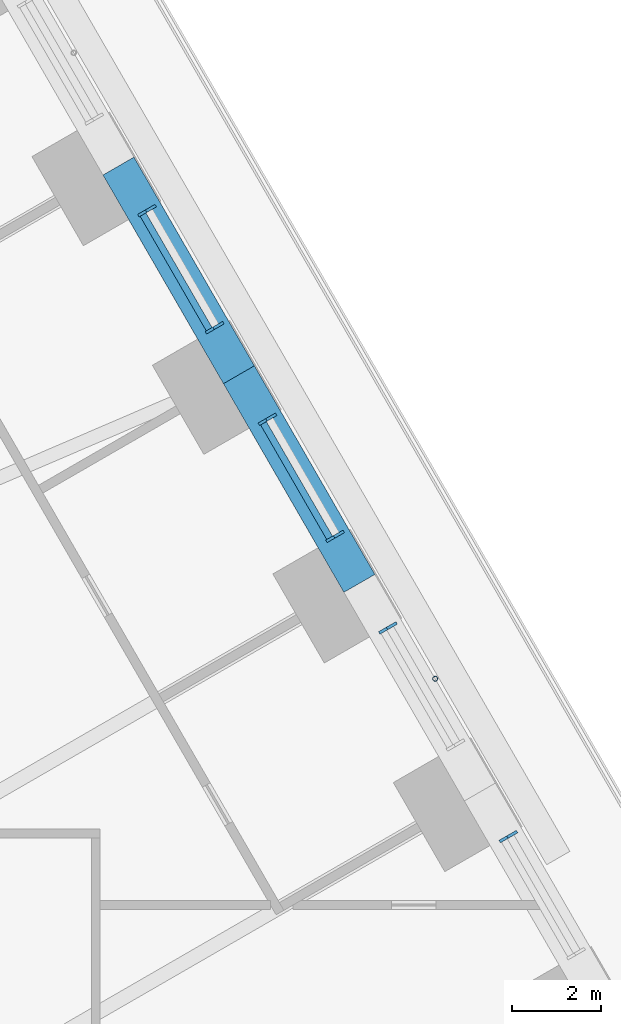
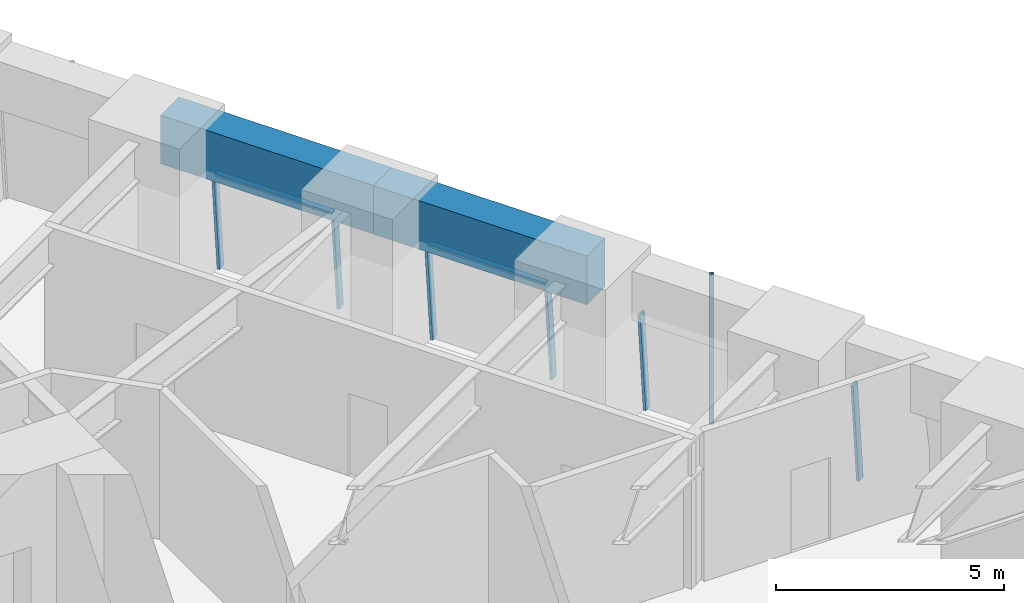
# One storey, part 13 of 23: 9 members, 2 beams, 4 elements without a shape of their own.
"""IFC4 building model written with IfcOpenShell, lengths in metres."""

from ifc_helpers import new_model, si_unit, direction, frame, origin, origin_2d, place, context, subcontext, project, spatial, rectangle, hollow_circle, extrude, material, material_profile, profile_set, type_object, element, aggregate, save


model = new_model("IFC4")

# Units and contexts
model_context = context("Model", 3, precision=1e-05, world=origin(), true_north=direction((0.0, 1.0)))
body_context = subcontext(model_context, "Body", "Model", "MODEL_VIEW")
ifc_project = project(units=[si_unit("LENGTHUNIT", "METRE"), si_unit("AREAUNIT", "SQUARE_METRE"), si_unit("VOLUMEUNIT", "CUBIC_METRE"), si_unit("PLANEANGLEUNIT", "RADIAN"), si_unit("MASSUNIT", "GRAM", prefix="KILO")], contexts=[model_context])

# Site, building, storey
site_placement = place(None, origin())
site = spatial("IfcSite", under=ifc_project, at=site_placement, CompositionType="ELEMENT")
building_placement = place(site_placement, origin())
building = spatial("IfcBuilding", under=site, at=building_placement, Name="Tarfa Lantern Tower", CompositionType="ELEMENT")
storey_placement = place(building_placement, frame((0.0, 0.0, 40.300048828125)))
storey = spatial("IfcBuildingStorey", under=building, at=storey_placement, Name="L08", CompositionType="ELEMENT", Elevation=40.300048828125)

# Curtain wall, member
ifc_material_1 = material(Name="Aluminium framed curtain wall", Category="aluminium")
curtain_wall_type = type_object("IfcCurtainWallType", Name="CW1 CANTED GLAZING LOW ZONE 2700", PredefinedType="USERDEFINED", material=ifc_material_1)
curtain_wall_1_placement = place(storey_placement, origin())
curtain_wall_1 = element("IfcCurtainWall", 1, at=curtain_wall_1_placement, inside=storey, type_object=curtain_wall_type, Name="CW1 NE L08", ObjectType="CURTAIN WALL", PredefinedType="USERDEFINED")
ifc_material_2 = material(Name="Aluminium mullion", Category="aluminium")
ifc_material_profile_1 = material_profile(ifc_material_2, rectangle(XDim=0.06494140625, YDim=0.199951171875, at=origin_2d()), Name="AL MULLION 65x200")
ifc_profile_set_1 = profile_set([ifc_material_profile_1], Name="Aluminium mullion")
member_type_1 = type_object("IfcMemberType", Name="CWM1 MULLION 65x200", PredefinedType="MULLION", material=ifc_profile_set_1)
member_1_placement = place(storey_placement, frame((35.338134765625, 6.592529296875, 0.0), z_axis=(-0.07986442134, -0.046099868913, 0.99573916077), x_axis=(0.499919672301, -0.866071776036, 0.0)))
member_1 = element("IfcMember", 2, at=member_1_placement, type_object=member_type_1, Name="CW1 mullion 2", PredefinedType="MULLION", context=body_context, shape_type="SweptSolid", body=[
    extrude(rectangle(XDim=0.06494140625, YDim=0.199951171875, at=origin_2d()), origin(), (0.0, 0.0, 1.0), 2.71142578125),
])
aggregate(curtain_wall_1, [member_1])

curtain_wall_2_placement = place(storey_placement, origin())
curtain_wall_2 = element("IfcCurtainWall", 3, at=curtain_wall_2_placement, inside=storey, type_object=curtain_wall_type, Name="CW1 NE L08", ObjectType="CURTAIN WALL", PredefinedType="USERDEFINED")
member_2_placement = place(storey_placement, frame((32.643798828125, 11.25927734375, 0.0), z_axis=(-0.07986442134, -0.046099868913, 0.99573916077), x_axis=(0.499919672301, -0.866071776036, 0.0)))
member_2 = element("IfcMember", 4, at=member_2_placement, type_object=member_type_1, Name="CW1 mullion 2", PredefinedType="MULLION", context=body_context, shape_type="SweptSolid", body=[
    extrude(rectangle(XDim=0.06494140625, YDim=0.199951171875, at=origin_2d()), origin(), (0.0, 0.0, 1.0), 2.71142578125),
])
aggregate(curtain_wall_2, [member_2])

# Curtain wall, members
curtain_wall_3_placement = place(storey_placement, origin())
curtain_wall_3 = element("IfcCurtainWall", 5, at=curtain_wall_3_placement, inside=storey, type_object=curtain_wall_type, Name="CW1 NE L08", ObjectType="CURTAIN WALL", PredefinedType="USERDEFINED")
member_3_placement = place(storey_placement, frame((31.46142578125, 13.307373046875, 0.0), z_axis=(-0.07986442134, -0.046099868913, 0.99573916077), x_axis=(0.499919672301, -0.866071776036, 0.0)))
member_3 = element("IfcMember", 6, at=member_3_placement, type_object=member_type_1, Name="CW1 mullion 1", PredefinedType="MULLION", context=body_context, shape_type="SweptSolid", body=[
    extrude(rectangle(XDim=0.06494140625, YDim=0.199951171875, at=origin_2d()), origin(), (0.0, 0.0, 1.0), 2.71142578125),
])
member_4_placement = place(storey_placement, frame((29.949462890625, 15.926025390625, 0.0), z_axis=(-0.07986442134, -0.046099868913, 0.99573916077), x_axis=(0.499919672301, -0.866071776036, 0.0)))
member_4 = element("IfcMember", 7, at=member_4_placement, type_object=member_type_1, Name="CW1 mullion 2", PredefinedType="MULLION", context=body_context, shape_type="SweptSolid", body=[
    extrude(rectangle(XDim=0.06494140625, YDim=0.199951171875, at=origin_2d()), origin(), (0.0, 0.0, 1.0), 2.71142578125),
])

curtain_wall_4_placement = place(storey_placement, origin())
curtain_wall_4 = element("IfcCurtainWall", 8, at=curtain_wall_4_placement, inside=storey, type_object=curtain_wall_type, Name="CW1 NE L08", ObjectType="CURTAIN WALL", PredefinedType="USERDEFINED")
member_5_placement = place(storey_placement, frame((28.76708984375, 17.97412109375, 0.0), z_axis=(-0.07986442134, -0.046099868913, 0.99573916077), x_axis=(0.499919672301, -0.866071776036, 0.0)))
member_5 = element("IfcMember", 9, at=member_5_placement, type_object=member_type_1, Name="CW1 mullion 1", PredefinedType="MULLION", context=body_context, shape_type="SweptSolid", body=[
    extrude(rectangle(XDim=0.06494140625, YDim=0.199951171875, at=origin_2d()), origin(), (0.0, 0.0, 1.0), 2.71142578125),
])
member_6_placement = place(storey_placement, frame((27.255126953125, 20.592529296875, 0.0), z_axis=(-0.079774955866, -0.04610020023, 0.995746317068), x_axis=(0.500342721131, -0.865827443207, 0.0)))
member_6 = element("IfcMember", 10, at=member_6_placement, type_object=member_type_1, Name="CW1 mullion 2", PredefinedType="MULLION", context=body_context, shape_type="SweptSolid", body=[
    extrude(rectangle(XDim=0.06494140625, YDim=0.199951171875, at=origin_2d()), origin(), (0.0, 0.0, 1.0), 2.71142578125),
])

# Member
ifc_material_3 = material(Name="Aluminium transom", Category="aluminium")
ifc_material_profile_2 = material_profile(ifc_material_3, rectangle(XDim=0.14990234375, YDim=0.06494140625, at=origin_2d()), Name="AL TRANSOM 150x65")
ifc_profile_set_2 = profile_set([ifc_material_profile_2], Name="Aluminium transom")
member_type_2 = type_object("IfcMemberType", Name="CWT1 TRANSOM 150x65", PredefinedType="USERDEFINED", material=ifc_profile_set_2)
member_7_placement = place(storey_placement, frame((31.231201171875, 13.212158203125, 2.66748046875), z_axis=(-0.500017718492, 0.866015173767, 0.0), x_axis=(-0.866015173767, -0.500017718492, 0.0)))
member_7 = element("IfcMember", 11, at=member_7_placement, type_object=member_type_2, Name="CW1 transom 1.2", ObjectType="TRANSOM", PredefinedType="USERDEFINED", context=body_context, shape_type="SweptSolid", body=[
    extrude(rectangle(XDim=0.14990234375, YDim=0.06494140625, at=origin_2d()), origin(), (0.0, 0.0, 1.0), 2.95849609375),
])

aggregate(curtain_wall_3, [member_3, member_4, member_7])

member_8_placement = place(storey_placement, frame((28.536865234375, 17.878662109375, 2.66748046875), z_axis=(-0.499981985492, 0.866035804215, 0.0), x_axis=(-0.866035804215, -0.499981985492, 0.0)))
member_8 = element("IfcMember", 12, at=member_8_placement, type_object=member_type_2, Name="CW1 transom 1.2", ObjectType="TRANSOM", PredefinedType="USERDEFINED", context=body_context, shape_type="SweptSolid", body=[
    extrude(rectangle(XDim=0.14990234375, YDim=0.06494140625, at=origin_2d()), origin(), (0.0, 0.0, 1.0), 2.95849609375),
])

aggregate(curtain_wall_4, [member_5, member_6, member_8])

# Beams
ifc_material_4 = material(Name="Concrete C80/95", Category="concrete")
ifc_material_profile_3 = material_profile(ifc_material_4, rectangle(XDim=0.800048828125, YDim=1.300048828125, at=origin_2d()), Name="RC 800x1300")
ifc_profile_set_3 = profile_set([ifc_material_profile_3], Name="Concrete C80/95")
beam_type = type_object("IfcBeamType", Name="EB1 RC 800x1300", PredefinedType="SPANDREL", material=ifc_profile_set_3)
beam_1_placement = place(storey_placement, frame((31.896728515625, 12.193359375, 3.349853515625), z_axis=(-0.499998287579, 0.866026392449, 0.0), x_axis=(-0.866026392449, -0.499998287579, 0.0)))
element("IfcBeam", 13, at=beam_1_placement, inside=storey, type_object=beam_type, Name="Edge beam NE2", PredefinedType="SPANDREL", context=body_context, shape_type="SweptSolid", body=[
    extrude(rectangle(XDim=0.800048828125, YDim=1.300048828125, at=origin_2d()), origin(), (0.0, 0.0, 1.0), 5.388671875),
])
beam_2_placement = place(storey_placement, frame((29.202392578125, 16.860107421875, 3.349853515625), z_axis=(-0.500017906299, 0.866015065331, 0.0), x_axis=(-0.866015065331, -0.500017906299, 0.0)))
element("IfcBeam", 14, at=beam_2_placement, inside=storey, type_object=beam_type, Name="Edge beam NE3", PredefinedType="SPANDREL", context=body_context, shape_type="SweptSolid", body=[
    extrude(rectangle(XDim=0.800048828125, YDim=1.300048828125, at=origin_2d()), origin(), (0.0, 0.0, 1.0), 5.388427734375),
])

# Member
ifc_material_5 = material(Name="Steel S355", Category="steel")
ifc_material_profile_4 = material_profile(ifc_material_5, hollow_circle(Radius=0.05712890625, WallThickness=0.00634765625, at=origin_2d()), Name="CHS114.3x6.3")
ifc_profile_set_4 = profile_set([ifc_material_profile_4], Name="Steel S355")
member_type_3 = type_object("IfcMemberType", Name="TR1 GREEN WALL TRELLIS CHS114.3x6.3", PredefinedType="USERDEFINED", material=ifc_profile_set_4)
member_9_placement = place(storey_placement, frame((33.59033203125, 10.06005859375, 0.0), z_axis=(0.0, 0.0, 1.0), x_axis=(1.0, 0.0, 0.0)))
element("IfcMember", 15, at=member_9_placement, inside=storey, type_object=member_type_3, Name="Trellis post NE 1", ObjectType="TRELLIS", PredefinedType="USERDEFINED", context=body_context, shape_type="SweptSolid", body=[
    extrude(hollow_circle(Radius=0.05712890625, WallThickness=0.00634765625, at=origin_2d()), origin(), (0.0, 0.0, 1.0), 4.0),
])

save(model, "model.ifc")
